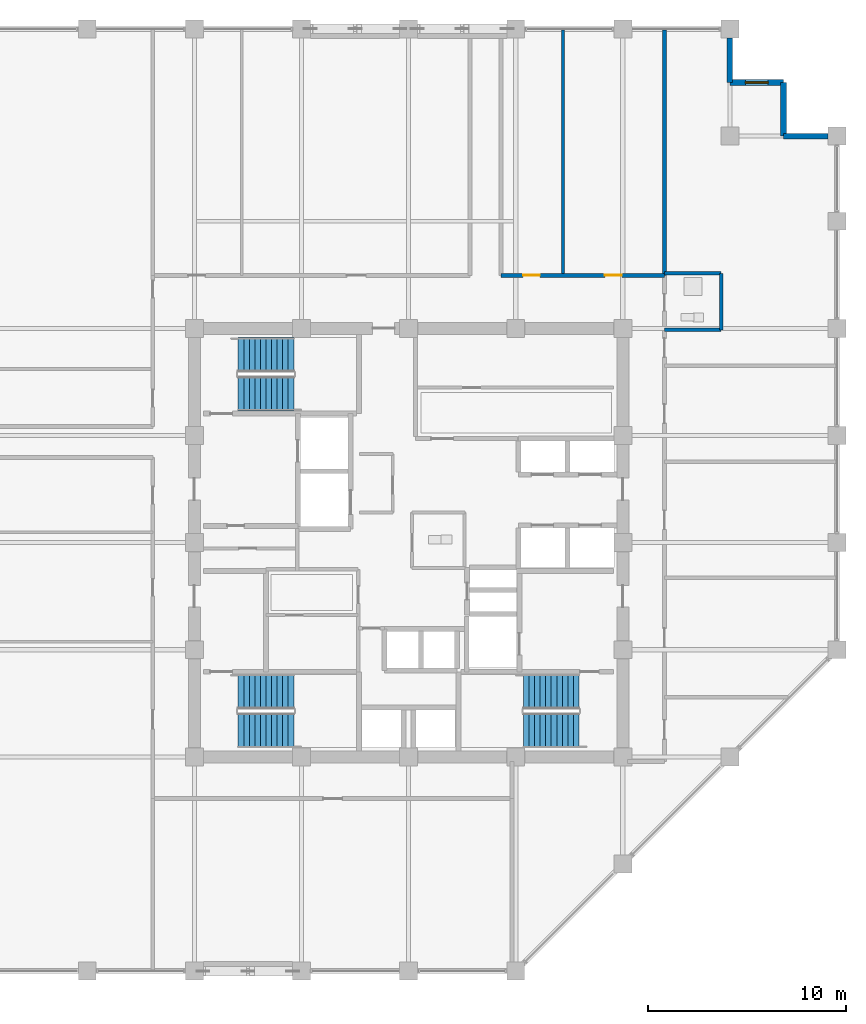
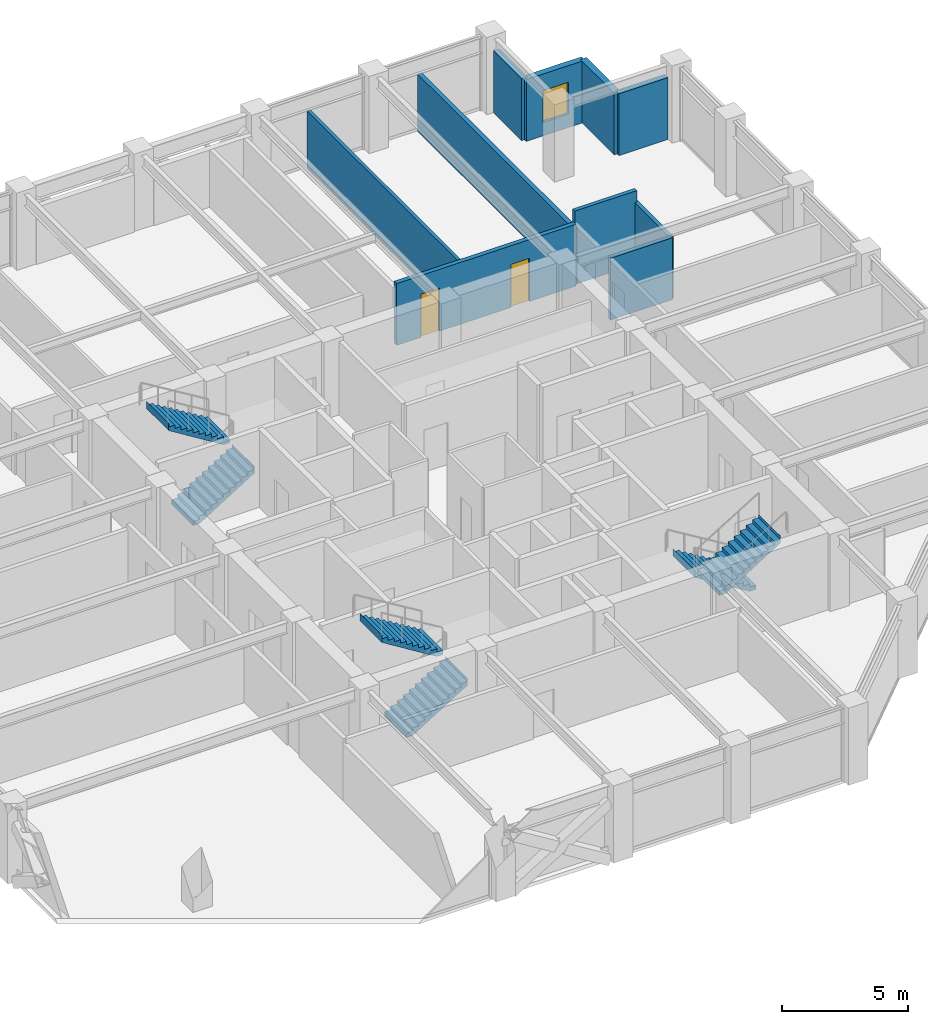
# One storey, part 30 of 32: 10 walls, 6 stair flights, 2 doors, 1 window, 3 openings, 3 elements without a shape of their own.
"""IFC4 building model written with IfcOpenShell, lengths in metres."""

from ifc_helpers import new_model, si_unit, direction, frame, frame_2d, origin, place, context, subcontext, project, spatial, polyline, rectangle, outline, extrude, material, layer, layer_set, type_object, element, fill, aggregate, save


model = new_model("IFC4")

# Units and contexts
model_context = context("Model", 3, precision=1e-05, world=origin(), true_north=direction((0.0, 1.0)))
body_context = subcontext(model_context, "Body", "Model", "MODEL_VIEW")
ifc_project = project(units=[si_unit("LENGTHUNIT", "METRE"), si_unit("AREAUNIT", "SQUARE_METRE"), si_unit("VOLUMEUNIT", "CUBIC_METRE"), si_unit("PLANEANGLEUNIT", "RADIAN"), si_unit("MASSUNIT", "GRAM", prefix="KILO")], contexts=[model_context])

# Site, building, storey
site_placement = place(None, origin())
site = spatial("IfcSite", under=ifc_project, at=site_placement, CompositionType="ELEMENT")
building_placement = place(site_placement, origin())
building = spatial("IfcBuilding", under=site, at=building_placement, Name="Surkhivell Harbour Commons", CompositionType="ELEMENT")
storey_placement = place(building_placement, frame((0.0, 0.0, 197.25)))
storey = spatial("IfcBuildingStorey", under=building, at=storey_placement, Name="L51", CompositionType="ELEMENT", Elevation=197.25)

# Walls
ifc_material_1 = material(Name="Terracotta-clad reinforced concrete C45/55", Category="masonry")
ifc_layer_1 = layer(ifc_material_1, 0.280029296875)
ifc_layer_set_1 = layer_set([ifc_layer_1], Name="Terracotta-clad reinforced concrete C45/55")
wall_type_1 = type_object("IfcWallType", Name="WAL-EXT-TER280", PredefinedType="STANDARD", material=ifc_layer_set_1)
wall_1_placement = place(storey_placement, frame((21.152099609375, 20.5, 0.0), z_axis=(0.0, 0.0, 1.0), x_axis=(-1.0, 0.0, 0.0)))
element("IfcWall", 1, at=wall_1_placement, inside=storey, type_object=wall_type_1, Name="L51 Serrated Corner Facade Wall 03", PredefinedType="STANDARD", context=body_context, shape_type="SweptSolid", body=[
    extrude(rectangle(XDim=2.252197265625, YDim=0.280029296875, at=frame_2d((1.1259765625, 0.0))), origin(), (0.0, 0.0, 1.0), 3.006103515625),
])
wall_2_placement = place(storey_placement, frame((18.89990234375, 20.5, 0.0), z_axis=(0.0, 0.0, 1.0), x_axis=(0.0, 1.0, 0.0)))
element("IfcWall", 2, at=wall_2_placement, inside=storey, type_object=wall_type_1, Name="L51 Serrated Corner Facade Wall 04", PredefinedType="STANDARD", context=body_context, shape_type="SweptSolid", body=[
    extrude(rectangle(XDim=2.699951171875, YDim=0.280029296875, at=frame_2d((1.35009765625, 0.0))), origin(), (0.0, 0.0, 1.0), 3.006103515625),
])

# Wall, opening, window
wall_3_placement = place(storey_placement, frame((18.89990234375, 23.199951171875, 0.0), z_axis=(0.0, 0.0, 1.0), x_axis=(-1.0, 0.0, 0.0)))
wall_3 = element("IfcWall", 3, at=wall_3_placement, inside=storey, type_object=wall_type_1, Name="L51 Serrated Corner Facade Wall 05", PredefinedType="STANDARD", context=body_context, shape_type="SweptSolid", body=[
    extrude(rectangle(XDim=2.699951171875, YDim=0.280029296875, at=frame_2d((1.35009765625, 0.0))), origin(), (0.0, 0.0, 1.0), 3.006103515625),
])
opening_1_placement = place(wall_3_placement, frame((0.77490234375, 0.0, 0.64990234375)))
opening_1 = element("IfcOpeningElement", 4, at=opening_1_placement, cuts=wall_3, Name="Opening WN-10", PredefinedType="OPENING", context=body_context, shape_type="SweptSolid", body=[
    extrude(rectangle(XDim=1.14990234375, YDim=1.550048828125, at=frame_2d((0.574951171875, 0.77490234375))), frame((0.0, 0.14990234375, 0.0), z_axis=(0.0, -1.0, 0.0), x_axis=(1.0, 0.0, 0.0)), (0.0, 0.0, 1.0), 0.300048828125),
])
ifc_material_2 = material(Name="Thermal-break aluminium frame and double low-E glazing", Category="aluminium")
window_type = type_object("IfcWindowType", Name="WIN-SER-1150x1550", PartitioningType="SINGLE_PANEL", PredefinedType="WINDOW", material=ifc_material_2)
window_placement = place(opening_1_placement, origin())
window = element("IfcWindow", 5, at=window_placement, inside=storey, type_object=window_type, Name="L51 Serrated Alcove Window 05", OverallHeight=1.550048828125, OverallWidth=1.14990234375, PartitioningType="SINGLE_PANEL", PredefinedType="WINDOW", context=body_context, shape_type="SweptSolid", body=[
    extrude(rectangle(XDim=1.14990234375, YDim=1.550048828125, at=frame_2d((0.574951171875, 0.77490234375))), frame((0.0, 0.030029296875, 0.0), z_axis=(0.0, -1.0, 0.0), x_axis=(1.0, 0.0, 0.0)), (0.0, 0.0, 1.0), 0.06005859375),
])
fill(opening_1, window)

# Walls
wall_4_placement = place(storey_placement, frame((16.199951171875, 23.199951171875, 0.0), z_axis=(0.0, 0.0, 1.0), x_axis=(0.0, 1.0, 0.0)))
element("IfcWall", 6, at=wall_4_placement, inside=storey, type_object=wall_type_1, Name="L51 Serrated Corner Facade Wall 06", PredefinedType="STANDARD", context=body_context, shape_type="SweptSolid", body=[
    extrude(rectangle(XDim=2.251953125, YDim=0.280029296875, at=frame_2d((1.1259765625, 0.0))), origin(), (0.0, 0.0, 1.0), 3.006103515625),
])
ifc_material_3 = material(Name="Twin-stud acoustic fireboard partition", Category="other")
ifc_layer_2 = layer(ifc_material_3, 0.14990234375)
ifc_layer_set_2 = layer_set([ifc_layer_2], Name="Twin-stud acoustic fireboard partition")
wall_type_2 = type_object("IfcWallType", Name="WAL-INT-150", PredefinedType="PARTITIONING", material=ifc_layer_set_2)
wall_5_placement = place(storey_placement, frame((7.7900390625, 13.47998046875, 0.0), z_axis=(0.0, 0.0, 1.0), x_axis=(0.0, 1.0, 0.0)))
element("IfcWall", 7, at=wall_5_placement, inside=storey, type_object=wall_type_2, Name="L51 North-East Partition P1", PredefinedType="PARTITIONING", context=body_context, shape_type="SweptSolid", body=[
    extrude(rectangle(XDim=12.360107421875, YDim=0.14990234375, at=frame_2d((6.18017578125, 0.0))), origin(), (0.0, 0.0, 1.0), 2.780029296875),
])
ifc_material_4 = material(Name="High-density acoustic blockwork fire partition", Category="masonry")
ifc_layer_3 = layer(ifc_material_4, 0.175048828125)
ifc_layer_set_3 = layer_set([ifc_layer_3], Name="High-density acoustic blockwork fire partition")
wall_type_3 = type_object("IfcWallType", Name="WAL-INT-175", PredefinedType="PARTITIONING", material=ifc_layer_set_3)
wall_6_placement = place(storey_placement, frame((15.75, 10.72998046875, 0.0), z_axis=(0.0, 0.0, 1.0), x_axis=(0.0, 1.0, 0.0)))
element("IfcWall", 8, at=wall_6_placement, inside=storey, type_object=wall_type_3, Name="L51 East Partition BTHB", PredefinedType="PARTITIONING", context=body_context, shape_type="SweptSolid", body=[
    extrude(rectangle(XDim=2.85009765625, YDim=0.175048828125, at=frame_2d((1.425048828125, 0.0))), origin(), (0.0, 0.0, 1.0), 3.006103515625),
])
wall_7_placement = place(storey_placement, frame((12.89990234375, 13.580078125, 0.0), z_axis=(0.0, 0.0, 1.0), x_axis=(1.0, 0.0, 0.0)))
element("IfcWall", 9, at=wall_7_placement, inside=storey, type_object=wall_type_3, Name="L51 East Partition BTHN", PredefinedType="PARTITIONING", context=body_context, shape_type="SweptSolid", body=[
    extrude(rectangle(XDim=2.85009765625, YDim=0.175048828125, at=frame_2d((1.425048828125, 0.0))), origin(), (0.0, 0.0, 1.0), 3.570068359375),
])
wall_8_placement = place(storey_placement, frame((12.89990234375, 10.72998046875, 0.0), z_axis=(0.0, 0.0, 1.0), x_axis=(1.0, 0.0, 0.0)))
element("IfcWall", 10, at=wall_8_placement, inside=storey, type_object=wall_type_3, Name="L51 East Partition BTHS", PredefinedType="PARTITIONING", context=body_context, shape_type="SweptSolid", body=[
    extrude(rectangle(XDim=2.85009765625, YDim=0.175048828125, at=frame_2d((1.425048828125, 0.0))), origin(), (0.0, 0.0, 1.0), 3.006103515625),
])
ifc_material_5 = material(Name="Autoclaved aerated concrete blockwork and fire plaster", Category="masonry")
ifc_layer_4 = layer(ifc_material_5, 0.199951171875)
ifc_layer_set_4 = layer_set([ifc_layer_4], Name="Autoclaved aerated concrete blockwork and fire plaster")
wall_type_4 = type_object("IfcWallType", Name="WAL-INT-200", PredefinedType="PARTITIONING", material=ifc_layer_set_4)
wall_9_placement = place(storey_placement, frame((12.89990234375, 13.47998046875, 0.0), z_axis=(0.0, 0.0, 1.0), x_axis=(0.0, 1.0, 0.0)))
element("IfcWall", 11, at=wall_9_placement, inside=storey, type_object=wall_type_4, Name="L51 North-East Corner Wall", PredefinedType="PARTITIONING", context=body_context, shape_type="SweptSolid", body=[
    extrude(rectangle(XDim=12.360107421875, YDim=0.199951171875, at=frame_2d((6.18017578125, 0.0))), origin(), (0.0, 0.0, 1.0), 2.780029296875),
])

# Wall, openings, doors
wall_10_placement = place(storey_placement, frame((4.64990234375, 13.47998046875, 0.0), z_axis=(0.0, 0.0, 1.0), x_axis=(1.0, 0.0, 0.0)))
wall_10 = element("IfcWall", 12, at=wall_10_placement, inside=storey, type_object=wall_type_4, Name="L51 Corridor North-East Wall", PredefinedType="PARTITIONING", context=body_context, shape_type="SweptSolid", body=[
    extrude(rectangle(XDim=8.25, YDim=0.199951171875, at=frame_2d((4.125, 0.0))), origin(), (0.0, 0.0, 1.0), 3.006103515625),
])
opening_2_placement = place(wall_10_placement, frame((1.1201171875, 0.0, 0.0)))
opening_2 = element("IfcOpeningElement", 13, at=opening_2_placement, cuts=wall_10, Name="Opening ID-6", PredefinedType="OPENING", context=body_context, shape_type="SweptSolid", body=[
    extrude(rectangle(XDim=0.85009765625, YDim=2.10009765625, at=frame_2d((0.425048828125, 1.050048828125))), frame((0.0, 0.10986328125, 0.0), z_axis=(0.0, -1.0, 0.0), x_axis=(1.0, 0.0, 0.0)), (0.0, 0.0, 1.0), 0.219970703125),
])
opening_3_placement = place(wall_10_placement, frame((5.2451171875, 0.0, 0.0)))
opening_3 = element("IfcOpeningElement", 14, at=opening_3_placement, cuts=wall_10, Name="Opening ID-6", PredefinedType="OPENING", context=body_context, shape_type="SweptSolid", body=[
    extrude(rectangle(XDim=0.85009765625, YDim=2.10009765625, at=frame_2d((0.425048828125, 1.050048828125))), frame((0.0, 0.10986328125, 0.0), z_axis=(0.0, -1.0, 0.0), x_axis=(1.0, 0.0, 0.0)), (0.0, 0.0, 1.0), 0.219970703125),
])
ifc_material_6 = material(Name="Hardwood-veneered fire-rated door leaf", Category="wood")
door_type = type_object("IfcDoorType", Name="DOR-FD30-850", OperationType="NOTDEFINED", PredefinedType="DOOR", material=ifc_material_6)
door_1_placement = place(opening_2_placement, origin())
door_1 = element("IfcDoor", 15, at=door_1_placement, inside=storey, type_object=door_type, Name="L51 Harbour Reading Library North-East Door", OperationType="SINGLE_SWING_LEFT", OverallHeight=2.10009765625, OverallWidth=0.85009765625, PredefinedType="DOOR", context=body_context, shape_type="SweptSolid", body=[
    extrude(rectangle(XDim=0.85009765625, YDim=2.10009765625, at=frame_2d((0.425048828125, 1.050048828125))), frame((0.0, 0.02490234375, 0.0), z_axis=(0.0, -1.0, 0.0), x_axis=(1.0, 0.0, 0.0)), (0.0, 0.0, 1.0), 0.050048828125),
])
fill(opening_2, door_1)
door_2_placement = place(opening_3_placement, origin())
door_2 = element("IfcDoor", 16, at=door_2_placement, inside=storey, type_object=door_type, Name="L51 Communal Dining Hall North-East Door", OperationType="SINGLE_SWING_RIGHT", OverallHeight=2.10009765625, OverallWidth=0.85009765625, PredefinedType="DOOR", context=body_context, shape_type="SweptSolid", body=[
    extrude(rectangle(XDim=0.85009765625, YDim=2.10009765625, at=frame_2d((0.425048828125, 1.050048828125))), frame((0.0, 0.02490234375, 0.0), z_axis=(0.0, -1.0, 0.0), x_axis=(1.0, 0.0, 0.0)), (0.0, 0.0, 1.0), 0.050048828125),
])
fill(opening_3, door_2)

# Stair, stair flights
ifc_material_7 = material(Name="Precast concrete C45/55", Category="concrete")
stair_type = type_object("IfcStairType", Name="STR-DL-375", PredefinedType="HALF_TURN_STAIR", material=ifc_material_7)
stair_1_placement = place(storey_placement, origin())
stair_1 = element("IfcStair", 17, at=stair_1_placement, inside=storey, type_object=stair_type, Name="L51 Core Exit Stair ST1", PredefinedType="HALF_TURN_STAIR")
stair_flight_type = type_object("IfcStairFlightType", Name="STF-DL-375", PredefinedType="STRAIGHT", material=ifc_material_7)
stair_flight_1_placement = place(storey_placement, frame((-8.590087890625, 7.514892578125, 0.0), z_axis=(0.0, 0.0, 1.0), x_axis=(1.0, 0.0, 0.0)))
stair_flight_1 = element("IfcStairFlight", 18, at=stair_flight_1_placement, type_object=stair_flight_type, Name="ST1 flight 1", NumberOfRisers=11, NumberOfTreads=10, PredefinedType="STRAIGHT", RiserHeight=0.170454545, TreadLength=0.28, context=body_context, shape_type="SweptSolid", body=[
    extrude(outline(polyline([(-0.0029296875, -0.034912109375), (-0.0029296875, 0.0), (0.0, 0.0), (0.0, 0.17041015625), (0.280029296875, 0.17041015625), (0.280029296875, 0.3408203125), (0.56005859375, 0.3408203125), (0.56005859375, 0.511474609375), (0.840087890625, 0.511474609375), (0.840087890625, 0.681884765625), (1.1201171875, 0.681884765625), (1.1201171875, 0.852294921875), (1.39990234375, 0.852294921875), (1.39990234375, 1.022705078125), (1.679931640625, 1.022705078125), (1.679931640625, 1.193115234375), (1.9599609375, 1.193115234375), (1.9599609375, 1.363525390625), (2.239990234375, 1.363525390625), (2.239990234375, 1.5341796875), (2.52001953125, 1.5341796875), (2.52001953125, 1.70458984375), (2.800048828125, 1.70458984375), (2.800048828125, 1.875), (2.802978515625, 1.875), (2.802978515625, 1.529052734375), (0.288330078125, -0.034912109375), (-0.0029296875, -0.034912109375)])), frame((0.0, 0.875, 0.0), z_axis=(0.0, -1.0, 0.0), x_axis=(1.0, 0.0, 0.0)), (0.0, 0.0, 1.0), 1.75),
])
stair_flight_2_placement = place(storey_placement, frame((-5.7900390625, 9.465087890625, 1.875), z_axis=(0.0, 0.0, 1.0), x_axis=(-1.0, 0.0, 0.0)))
stair_flight_2 = element("IfcStairFlight", 19, at=stair_flight_2_placement, type_object=stair_flight_type, Name="ST1 flight 2", NumberOfRisers=11, NumberOfTreads=10, PredefinedType="STRAIGHT", RiserHeight=0.170454545, TreadLength=0.28, context=body_context, shape_type="SweptSolid", body=[
    extrude(outline(polyline([(-0.0029296875, -0.034912109375), (-0.0029296875, 0.0), (0.0, 0.0), (0.0, 0.17041015625), (0.280029296875, 0.17041015625), (0.280029296875, 0.3408203125), (0.56005859375, 0.3408203125), (0.56005859375, 0.511474609375), (0.840087890625, 0.511474609375), (0.840087890625, 0.681884765625), (1.1201171875, 0.681884765625), (1.1201171875, 0.852294921875), (1.39990234375, 0.852294921875), (1.39990234375, 1.022705078125), (1.679931640625, 1.022705078125), (1.679931640625, 1.193115234375), (1.9599609375, 1.193115234375), (1.9599609375, 1.363525390625), (2.239990234375, 1.363525390625), (2.239990234375, 1.5341796875), (2.52001953125, 1.5341796875), (2.52001953125, 1.70458984375), (2.800048828125, 1.70458984375), (2.800048828125, 1.875), (2.802978515625, 1.875), (2.802978515625, 1.529052734375), (0.288330078125, -0.034912109375), (-0.0029296875, -0.034912109375)])), frame((0.0, 0.875, 0.0), z_axis=(0.0, -1.0, 0.0), x_axis=(1.0, 0.0, 0.0)), (0.0, 0.0, 1.0), 1.75),
])
aggregate(stair_1, [stair_flight_1, stair_flight_2])

stair_2_placement = place(storey_placement, origin())
stair_2 = element("IfcStair", 20, at=stair_2_placement, inside=storey, type_object=stair_type, Name="L51 Core Exit Stair ST2", PredefinedType="HALF_TURN_STAIR")
stair_flight_3_placement = place(storey_placement, frame((8.590087890625, -7.514892578125, 0.0), z_axis=(0.0, 0.0, 1.0), x_axis=(-1.0, 0.0, 0.0)))
stair_flight_3 = element("IfcStairFlight", 21, at=stair_flight_3_placement, type_object=stair_flight_type, Name="ST2 flight 1", NumberOfRisers=11, NumberOfTreads=10, PredefinedType="STRAIGHT", RiserHeight=0.170454545, TreadLength=0.28, context=body_context, shape_type="SweptSolid", body=[
    extrude(outline(polyline([(-0.0029296875, -0.034912109375), (-0.0029296875, 0.0), (0.0, 0.0), (0.0, 0.17041015625), (0.280029296875, 0.17041015625), (0.280029296875, 0.3408203125), (0.56005859375, 0.3408203125), (0.56005859375, 0.511474609375), (0.840087890625, 0.511474609375), (0.840087890625, 0.681884765625), (1.1201171875, 0.681884765625), (1.1201171875, 0.852294921875), (1.39990234375, 0.852294921875), (1.39990234375, 1.022705078125), (1.679931640625, 1.022705078125), (1.679931640625, 1.193115234375), (1.9599609375, 1.193115234375), (1.9599609375, 1.363525390625), (2.239990234375, 1.363525390625), (2.239990234375, 1.5341796875), (2.52001953125, 1.5341796875), (2.52001953125, 1.70458984375), (2.800048828125, 1.70458984375), (2.800048828125, 1.875), (2.802978515625, 1.875), (2.802978515625, 1.529052734375), (0.288330078125, -0.034912109375), (-0.0029296875, -0.034912109375)])), frame((0.0, 0.875, 0.0), z_axis=(0.0, -1.0, 0.0), x_axis=(1.0, 0.0, 0.0)), (0.0, 0.0, 1.0), 1.75),
])
stair_flight_4_placement = place(storey_placement, frame((5.7900390625, -9.465087890625, 1.875), z_axis=(0.0, 0.0, 1.0), x_axis=(1.0, 0.0, 0.0)))
stair_flight_4 = element("IfcStairFlight", 22, at=stair_flight_4_placement, type_object=stair_flight_type, Name="ST2 flight 2", NumberOfRisers=11, NumberOfTreads=10, PredefinedType="STRAIGHT", RiserHeight=0.170454545, TreadLength=0.28, context=body_context, shape_type="SweptSolid", body=[
    extrude(outline(polyline([(-0.0029296875, -0.034912109375), (-0.0029296875, 0.0), (0.0, 0.0), (0.0, 0.17041015625), (0.280029296875, 0.17041015625), (0.280029296875, 0.3408203125), (0.56005859375, 0.3408203125), (0.56005859375, 0.511474609375), (0.840087890625, 0.511474609375), (0.840087890625, 0.681884765625), (1.1201171875, 0.681884765625), (1.1201171875, 0.852294921875), (1.39990234375, 0.852294921875), (1.39990234375, 1.022705078125), (1.679931640625, 1.022705078125), (1.679931640625, 1.193115234375), (1.9599609375, 1.193115234375), (1.9599609375, 1.363525390625), (2.239990234375, 1.363525390625), (2.239990234375, 1.5341796875), (2.52001953125, 1.5341796875), (2.52001953125, 1.70458984375), (2.800048828125, 1.70458984375), (2.800048828125, 1.875), (2.802978515625, 1.875), (2.802978515625, 1.529052734375), (0.288330078125, -0.034912109375), (-0.0029296875, -0.034912109375)])), frame((0.0, 0.875, 0.0), z_axis=(0.0, -1.0, 0.0), x_axis=(1.0, 0.0, 0.0)), (0.0, 0.0, 1.0), 1.75),
])
aggregate(stair_2, [stair_flight_3, stair_flight_4])

stair_3_placement = place(storey_placement, origin())
stair_3 = element("IfcStair", 23, at=stair_3_placement, inside=storey, type_object=stair_type, Name="L51 Core Exit Stair ST3", PredefinedType="HALF_TURN_STAIR")
stair_flight_5_placement = place(storey_placement, frame((-8.590087890625, -9.465087890625, 0.0), z_axis=(0.0, 0.0, 1.0), x_axis=(1.0, 0.0, 0.0)))
stair_flight_5 = element("IfcStairFlight", 24, at=stair_flight_5_placement, type_object=stair_flight_type, Name="ST3 flight 1", NumberOfRisers=11, NumberOfTreads=10, PredefinedType="STRAIGHT", RiserHeight=0.170454545, TreadLength=0.28, context=body_context, shape_type="SweptSolid", body=[
    extrude(outline(polyline([(-0.0029296875, -0.034912109375), (-0.0029296875, 0.0), (0.0, 0.0), (0.0, 0.17041015625), (0.280029296875, 0.17041015625), (0.280029296875, 0.3408203125), (0.56005859375, 0.3408203125), (0.56005859375, 0.511474609375), (0.840087890625, 0.511474609375), (0.840087890625, 0.681884765625), (1.1201171875, 0.681884765625), (1.1201171875, 0.852294921875), (1.39990234375, 0.852294921875), (1.39990234375, 1.022705078125), (1.679931640625, 1.022705078125), (1.679931640625, 1.193115234375), (1.9599609375, 1.193115234375), (1.9599609375, 1.363525390625), (2.239990234375, 1.363525390625), (2.239990234375, 1.5341796875), (2.52001953125, 1.5341796875), (2.52001953125, 1.70458984375), (2.800048828125, 1.70458984375), (2.800048828125, 1.875), (2.802978515625, 1.875), (2.802978515625, 1.529052734375), (0.288330078125, -0.034912109375), (-0.0029296875, -0.034912109375)])), frame((0.0, 0.875, 0.0), z_axis=(0.0, -1.0, 0.0), x_axis=(1.0, 0.0, 0.0)), (0.0, 0.0, 1.0), 1.75),
])
stair_flight_6_placement = place(storey_placement, frame((-5.7900390625, -7.514892578125, 1.875), z_axis=(0.0, 0.0, 1.0), x_axis=(-1.0, 0.0, 0.0)))
stair_flight_6 = element("IfcStairFlight", 25, at=stair_flight_6_placement, type_object=stair_flight_type, Name="ST3 flight 2", NumberOfRisers=11, NumberOfTreads=10, PredefinedType="STRAIGHT", RiserHeight=0.170454545, TreadLength=0.28, context=body_context, shape_type="SweptSolid", body=[
    extrude(outline(polyline([(-0.0029296875, -0.034912109375), (-0.0029296875, 0.0), (0.0, 0.0), (0.0, 0.17041015625), (0.280029296875, 0.17041015625), (0.280029296875, 0.3408203125), (0.56005859375, 0.3408203125), (0.56005859375, 0.511474609375), (0.840087890625, 0.511474609375), (0.840087890625, 0.681884765625), (1.1201171875, 0.681884765625), (1.1201171875, 0.852294921875), (1.39990234375, 0.852294921875), (1.39990234375, 1.022705078125), (1.679931640625, 1.022705078125), (1.679931640625, 1.193115234375), (1.9599609375, 1.193115234375), (1.9599609375, 1.363525390625), (2.239990234375, 1.363525390625), (2.239990234375, 1.5341796875), (2.52001953125, 1.5341796875), (2.52001953125, 1.70458984375), (2.800048828125, 1.70458984375), (2.800048828125, 1.875), (2.802978515625, 1.875), (2.802978515625, 1.529052734375), (0.288330078125, -0.034912109375), (-0.0029296875, -0.034912109375)])), frame((0.0, 0.875, 0.0), z_axis=(0.0, -1.0, 0.0), x_axis=(1.0, 0.0, 0.0)), (0.0, 0.0, 1.0), 1.75),
])
aggregate(stair_3, [stair_flight_5, stair_flight_6])

save(model, "model.ifc")
